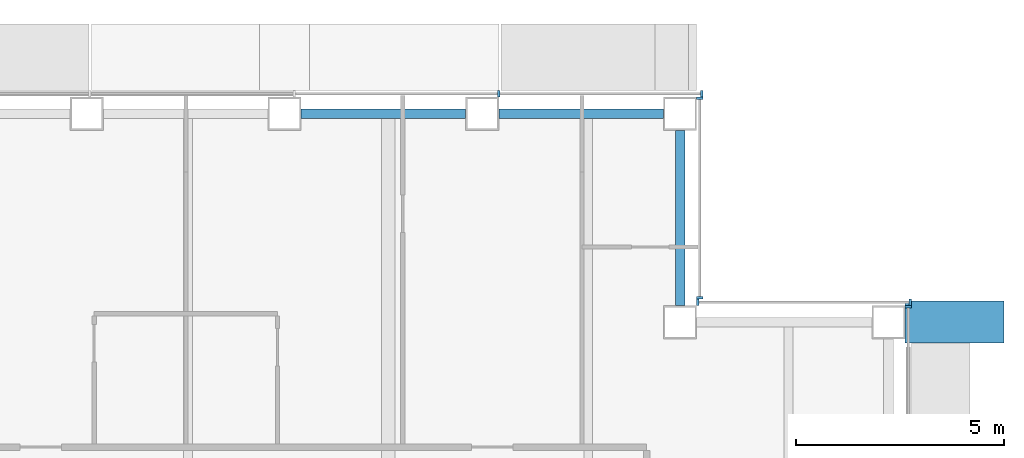
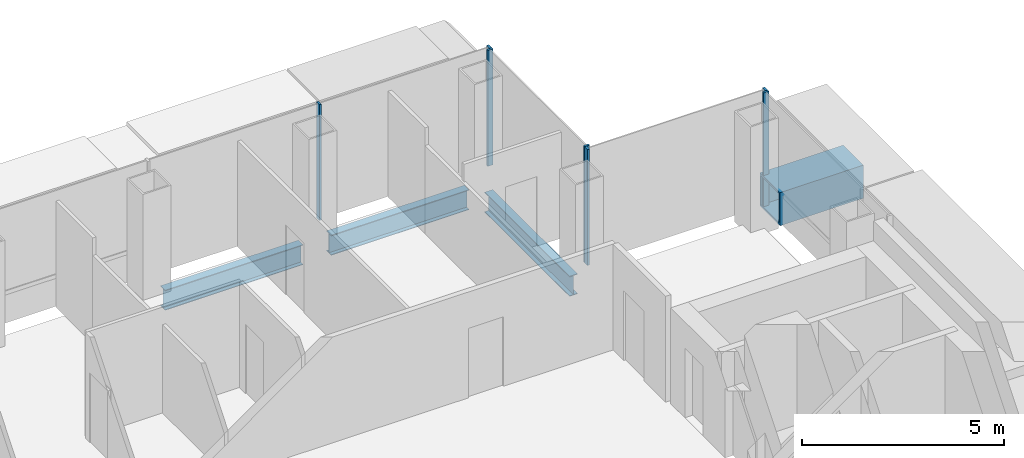
# One storey, part 10 of 21: 7 members, 4 beams, 4 elements without a shape of their own.
"""IFC4 building model written with IfcOpenShell, lengths in metres."""

from ifc_helpers import new_model, si_unit, direction, frame, origin, origin_2d, place, context, subcontext, project, spatial, rectangle, hollow_rectangle, i_section, extrude, material, material_profile, profile_set, type_object, element, aggregate, save


model = new_model("IFC4")

# Units and contexts
model_context = context("Model", 3, precision=1e-05, world=origin(), true_north=direction((0.0, 1.0)))
body_context = subcontext(model_context, "Body", "Model", "MODEL_VIEW")
ifc_project = project(units=[si_unit("LENGTHUNIT", "METRE"), si_unit("AREAUNIT", "SQUARE_METRE"), si_unit("VOLUMEUNIT", "CUBIC_METRE"), si_unit("PLANEANGLEUNIT", "RADIAN"), si_unit("MASSUNIT", "GRAM", prefix="KILO")], contexts=[model_context])

# Site, building, storey
site_placement = place(None, origin())
site = spatial("IfcSite", under=ifc_project, at=site_placement, CompositionType="ELEMENT")
building_placement = place(site_placement, origin())
building = spatial("IfcBuilding", under=site, at=building_placement, Name="Cobrizo Arcos Hotel Tower", CompositionType="ELEMENT")
storey_placement = place(building_placement, frame((0.0, 0.0, 183.0)))
storey = spatial("IfcBuildingStorey", under=building, at=storey_placement, Name="L47", CompositionType="ELEMENT", Elevation=183.0)

# Beam
ifc_material_1 = material(Name="Steel ASTM A572 Grade 50", Category="steel")
ifc_material_profile_1 = material_profile(ifc_material_1, hollow_rectangle(XDim=1.0, YDim=1.0, WallThickness=0.06005859375, at=origin_2d()), Name="BOX 1000X1000X60")
ifc_profile_set_1 = profile_set([ifc_material_profile_1], Name="Steel ASTM A572 Grade 50")
beam_type_1 = type_object("IfcBeamType", Name="BOX 1000X1000X60 brace connector strut", PredefinedType="BEAM", material=ifc_profile_set_1)
beam_1_placement = place(storey_placement, frame((21.989990234375, 16.60009765625, 0.5), z_axis=(1.0, 0.0, 0.0), x_axis=(0.0, 1.0, 0.0)))
element("IfcBeam", 1, at=beam_1_placement, inside=storey, type_object=beam_type_1, Name="Perimeter brace stub BS1, zone Z3, east face, offset +16.60 m, L47", PredefinedType="BEAM", context=body_context, shape_type="SweptSolid", body=[
    extrude(hollow_rectangle(XDim=1.0, YDim=1.0, WallThickness=0.06005859375, at=origin_2d()), origin(), (0.0, 0.0, 1.0), 2.380126953125),
])

# Curtain wall, member
ifc_material_2 = material(Name="Aluminium 6063-T6 anodised bronze", Category="aluminium")
curtain_wall_type = type_object("IfcCurtainWallType", Name="CW-A guest facade", PredefinedType="NOTDEFINED", material=ifc_material_2)
curtain_wall_1_placement = place(storey_placement, origin())
curtain_wall_1 = element("IfcCurtainWall", 2, at=curtain_wall_1_placement, inside=storey, type_object=curtain_wall_type, Name="CW-A L47 E face", PredefinedType="NOTDEFINED")
ifc_material_profile_2 = material_profile(ifc_material_2, rectangle(XDim=0.14990234375, YDim=0.06005859375, at=origin_2d()), Name="CW-A mullion 150x60")
ifc_profile_set_2 = profile_set([ifc_material_profile_2], Name="Aluminium 6063-T6 anodised bronze")
member_type = type_object("IfcMemberType", Name="CW-A mullion 150x60", PredefinedType="MULLION", material=ifc_profile_set_2)
member_1_placement = place(storey_placement, frame((22.074951171875, 16.969970703125, 0.0), z_axis=(0.0, 0.0, 1.0), x_axis=(1.0, 0.0, 0.0)))
member_1 = element("IfcMember", 3, at=member_1_placement, type_object=member_type, Name="CW-A mullion 3", PredefinedType="MULLION", context=body_context, shape_type="SweptSolid", body=[
    extrude(rectangle(XDim=0.14990234375, YDim=0.06005859375, at=origin_2d()), origin(), (0.0, 0.0, 1.0), 3.5),
])
aggregate(curtain_wall_1, [member_1])

# Curtain wall, members
curtain_wall_2_placement = place(storey_placement, origin())
curtain_wall_2 = element("IfcCurtainWall", 4, at=curtain_wall_2_placement, inside=storey, type_object=curtain_wall_type, Name="CW-A L47 N face", PredefinedType="NOTDEFINED")
member_2_placement = place(storey_placement, frame((22.1201171875, 17.074951171875, 0.0), z_axis=(0.0, 0.0, 1.0), x_axis=(0.0, 1.0, 0.0)))
member_2 = element("IfcMember", 5, at=member_2_placement, type_object=member_type, Name="CW-A mullion 1", PredefinedType="MULLION", context=body_context, shape_type="SweptSolid", body=[
    extrude(rectangle(XDim=0.14990234375, YDim=0.06005859375, at=origin_2d()), origin(), (0.0, 0.0, 1.0), 3.5),
])
member_3_placement = place(storey_placement, frame((17.030029296875, 17.074951171875, 0.0), z_axis=(0.0, 0.0, 1.0), x_axis=(0.0, 1.0, 0.0)))
member_3 = element("IfcMember", 6, at=member_3_placement, type_object=member_type, Name="CW-A mullion 2", PredefinedType="MULLION", context=body_context, shape_type="SweptSolid", body=[
    extrude(rectangle(XDim=0.14990234375, YDim=0.06005859375, at=origin_2d()), origin(), (0.0, 0.0, 1.0), 3.5),
])
aggregate(curtain_wall_2, [member_2, member_3])

curtain_wall_3_placement = place(storey_placement, origin())
curtain_wall_3 = element("IfcCurtainWall", 7, at=curtain_wall_3_placement, inside=storey, type_object=curtain_wall_type, Name="CW-A L47 E face", PredefinedType="NOTDEFINED")
member_4_placement = place(storey_placement, frame((17.074951171875, 17.179931640625, 0.0), z_axis=(0.0, 0.0, 1.0), x_axis=(1.0, 0.0, 0.0)))
member_4 = element("IfcMember", 8, at=member_4_placement, type_object=member_type, Name="CW-A mullion 1", PredefinedType="MULLION", context=body_context, shape_type="SweptSolid", body=[
    extrude(rectangle(XDim=0.14990234375, YDim=0.06005859375, at=origin_2d()), origin(), (0.0, 0.0, 1.0), 3.5),
])
member_5_placement = place(storey_placement, frame((17.074951171875, 21.969970703125, 0.0), z_axis=(0.0, 0.0, 1.0), x_axis=(1.0, 0.0, 0.0)))
member_5 = element("IfcMember", 9, at=member_5_placement, type_object=member_type, Name="CW-A mullion 2", PredefinedType="MULLION", context=body_context, shape_type="SweptSolid", body=[
    extrude(rectangle(XDim=0.14990234375, YDim=0.06005859375, at=origin_2d()), origin(), (0.0, 0.0, 1.0), 3.5),
])
aggregate(curtain_wall_3, [member_4, member_5])

curtain_wall_4_placement = place(storey_placement, origin())
curtain_wall_4 = element("IfcCurtainWall", 10, at=curtain_wall_4_placement, inside=storey, type_object=curtain_wall_type, Name="CW-A L47 N face", PredefinedType="NOTDEFINED")
member_6_placement = place(storey_placement, frame((17.1201171875, 22.074951171875, 0.0), z_axis=(0.0, 0.0, 1.0), x_axis=(0.0, 1.0, 0.0)))
member_6 = element("IfcMember", 11, at=member_6_placement, type_object=member_type, Name="CW-A mullion 1", PredefinedType="MULLION", context=body_context, shape_type="SweptSolid", body=[
    extrude(rectangle(XDim=0.14990234375, YDim=0.06005859375, at=origin_2d()), origin(), (0.0, 0.0, 1.0), 3.5),
])
member_7_placement = place(storey_placement, frame((12.25, 22.074951171875, 0.0), z_axis=(0.0, 0.0, 1.0), x_axis=(0.0, 1.0, 0.0)))
member_7 = element("IfcMember", 12, at=member_7_placement, type_object=member_type, Name="CW-A mullion 2", PredefinedType="MULLION", context=body_context, shape_type="SweptSolid", body=[
    extrude(rectangle(XDim=0.14990234375, YDim=0.06005859375, at=origin_2d()), origin(), (0.0, 0.0, 1.0), 3.5),
])
aggregate(curtain_wall_4, [member_6, member_7])

# Beams
ifc_material_3 = material(Name="Steel ASTM A992 Grade 50", Category="steel")
ifc_material_profile_3 = material_profile(ifc_material_3, i_section(OverallWidth=0.228271484375, OverallDepth=0.607177734375, WebThickness=0.01123046875, FlangeThickness=0.017333984375, at=origin_2d()), Name="W24X76")
ifc_profile_set_3 = profile_set([ifc_material_profile_3], Name="Steel ASTM A992 Grade 50")
beam_type_2 = type_object("IfcBeamType", Name="W24X76 spandrel", PredefinedType="SPANDREL", material=ifc_profile_set_3)
beam_2_placement = place(storey_placement, frame((16.60009765625, 17.0, -0.45361328125), z_axis=(0.0, 1.0, 0.0), x_axis=(-1.0, 0.0, 0.0)))
element("IfcBeam", 13, at=beam_2_placement, inside=storey, type_object=beam_type_2, Name="Spandrel beam W24X76, L47, no. 015", PredefinedType="SPANDREL", context=body_context, shape_type="SweptSolid", body=[
    extrude(i_section(OverallWidth=0.228271484375, OverallDepth=0.607177734375, WebThickness=0.01123046875, FlangeThickness=0.017333984375, at=origin_2d()), origin(), (0.0, 0.0, 1.0), 4.199951171875),
])
beam_3_placement = place(storey_placement, frame((16.199951171875, 21.60009765625, -0.45361328125), z_axis=(-1.0, 0.0, 0.0), x_axis=(0.0, -1.0, 0.0)))
element("IfcBeam", 14, at=beam_3_placement, inside=storey, type_object=beam_type_2, Name="Spandrel beam W24X76, L47, no. 016", PredefinedType="SPANDREL", context=body_context, shape_type="SweptSolid", body=[
    extrude(i_section(OverallWidth=0.228271484375, OverallDepth=0.607177734375, WebThickness=0.01123046875, FlangeThickness=0.017333984375, at=origin_2d()), origin(), (0.0, 0.0, 1.0), 3.94287109375),
])
beam_4_placement = place(storey_placement, frame((11.45703125, 21.60009765625, -0.45361328125), z_axis=(-1.0, 0.0, 0.0), x_axis=(0.0, -1.0, 0.0)))
element("IfcBeam", 15, at=beam_4_placement, inside=storey, type_object=beam_type_2, Name="Spandrel beam W24X76, L47, no. 017", PredefinedType="SPANDREL", context=body_context, shape_type="SweptSolid", body=[
    extrude(i_section(OverallWidth=0.228271484375, OverallDepth=0.607177734375, WebThickness=0.01123046875, FlangeThickness=0.017333984375, at=origin_2d()), origin(), (0.0, 0.0, 1.0), 3.943115234375),
])

save(model, "model.ifc")
